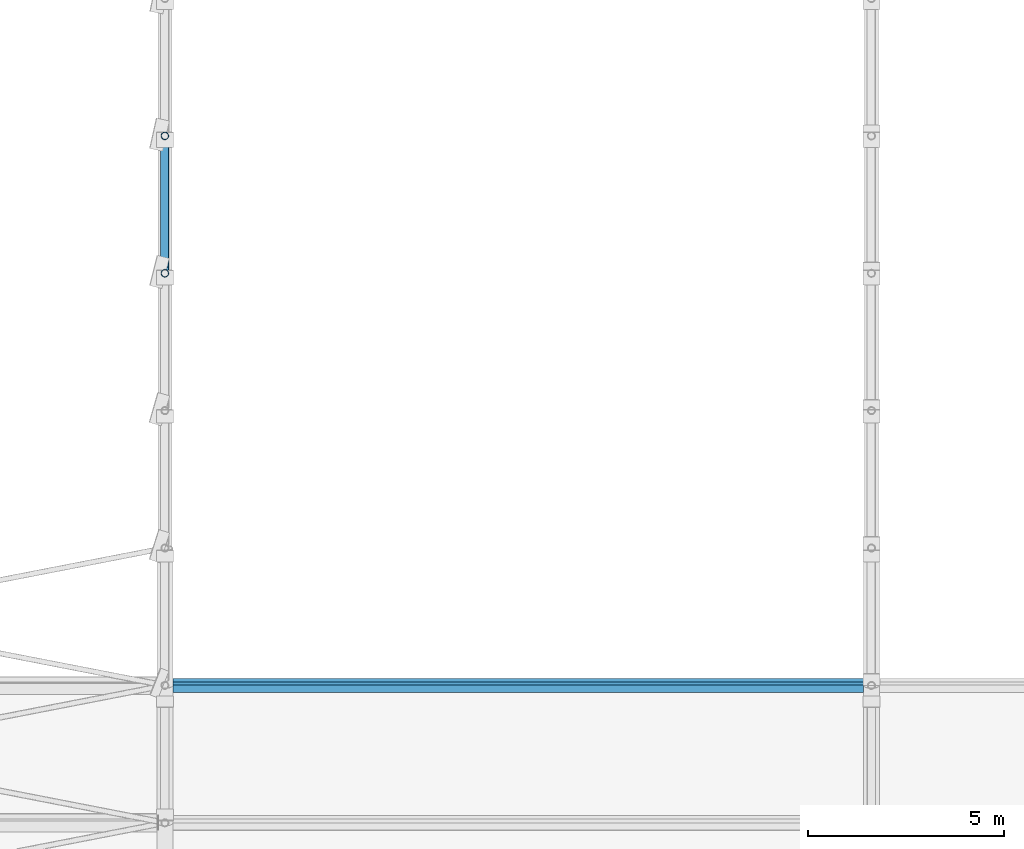
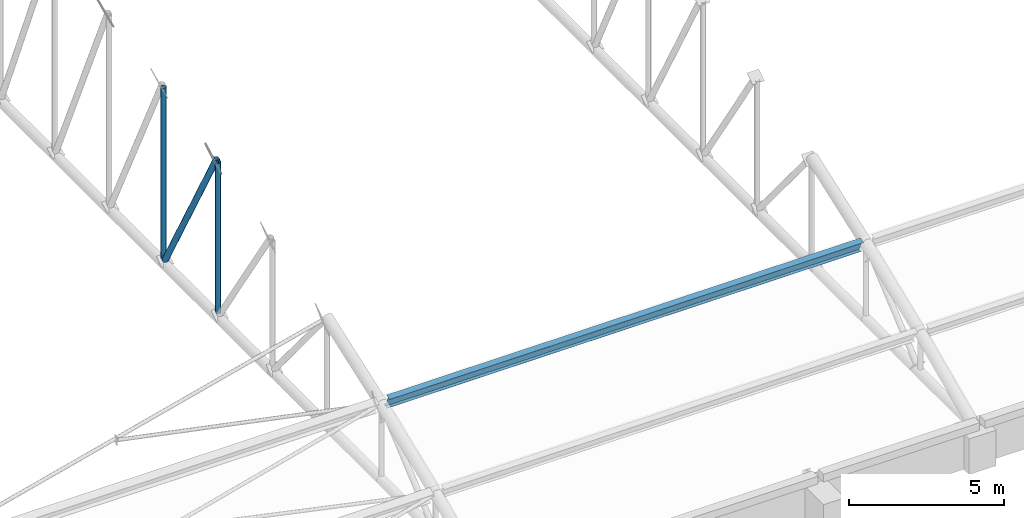
# One storey, part 31 of 196: 4 members.
"""IFC4 building model written with IfcOpenShell, lengths in metres."""

from ifc_helpers import new_model, si_unit, direction, frame, origin, origin_2d, place, context, subcontext, project, spatial, hollow_circle, i_section, extrude, material, material_profile, profile_set, type_object, element, save


model = new_model("IFC4")

# Units and contexts
model_context = context("Model", 3, precision=1e-05, world=origin(), true_north=direction((0.0, 1.0)))
body_context = subcontext(model_context, "Body", "Model", "MODEL_VIEW")
ifc_project = project(units=[si_unit("LENGTHUNIT", "METRE"), si_unit("AREAUNIT", "SQUARE_METRE"), si_unit("VOLUMEUNIT", "CUBIC_METRE"), si_unit("PLANEANGLEUNIT", "RADIAN"), si_unit("MASSUNIT", "GRAM", prefix="KILO")], contexts=[model_context])

# Site, building, storey
site_placement = place(None, origin())
site = spatial("IfcSite", under=ifc_project, at=site_placement, CompositionType="ELEMENT")
building_placement = place(site_placement, origin())
building = spatial("IfcBuilding", under=site, at=building_placement, Name="Okhra Congress Centre", CompositionType="ELEMENT")
storey_placement = place(building_placement, frame((0.0, 0.0, 12.0)))
storey = spatial("IfcBuildingStorey", under=building, at=storey_placement, Name="L02", CompositionType="ELEMENT", Elevation=12.0)

# Members
ifc_material_1 = material(Name="Steel S355J2H", Category="steel")
ifc_material_profile_1 = material_profile(ifc_material_1, hollow_circle(Radius=0.096923828125, WallThickness=0.008056640625, at=origin_2d()), Name="CHS 193.7x8.0")
ifc_profile_set_1 = profile_set([ifc_material_profile_1], Name="Steel S355J2H")
member_type_1 = type_object("IfcMemberType", Name="CHS 193.7x8.0", PredefinedType="POST", material=ifc_profile_set_1)
member_1_placement = place(storey_placement, frame((46.0, 149.5, 1.577880859375), z_axis=(0.0, 0.0, 1.0), x_axis=(1.0, 0.0, 0.0)))
element("IfcMember", 1, at=member_1_placement, inside=storey, type_object=member_type_1, Name="EH.MEM.L02.T2-VER-05", PredefinedType="POST", context=body_context, shape_type="SweptSolid", body=[
    extrude(hollow_circle(Radius=0.096923828125, WallThickness=0.008056640625, at=origin_2d()), origin(), (0.0, 0.0, 1.0), 5.917724609375),
])
member_2_placement = place(storey_placement, frame((46.0, 153.0, 1.577880859375), z_axis=(0.0, 0.0, 1.0), x_axis=(1.0, 0.0, 0.0)))
element("IfcMember", 2, at=member_2_placement, inside=storey, type_object=member_type_1, Name="EH.MEM.L02.T2-VER-06", PredefinedType="POST", context=body_context, shape_type="SweptSolid", body=[
    extrude(hollow_circle(Radius=0.096923828125, WallThickness=0.008056640625, at=origin_2d()), origin(), (0.0, 0.0, 1.0), 6.750244140625),
])
ifc_material_profile_2 = material_profile(ifc_material_1, hollow_circle(Radius=0.109619140625, WallThickness=0.010009765625, at=origin_2d()), Name="CHS 219.1x10.0")
ifc_profile_set_2 = profile_set([ifc_material_profile_2], Name="Steel S355J2H")
member_type_2 = type_object("IfcMemberType", Name="CHS 219.1x10.0", PredefinedType="BRACE", material=ifc_profile_set_2)
member_3_placement = place(storey_placement, frame((46.0, 149.5927734375, 7.538330078125), z_axis=(0.0, 0.485332749729, -0.874329527147), x_axis=(-1.0, 0.0, 0.0)))
element("IfcMember", 3, at=member_3_placement, inside=storey, type_object=member_type_2, Name="EH.MEM.L02.T2-DIA-05", PredefinedType="BRACE", context=body_context, shape_type="SweptSolid", body=[
    extrude(hollow_circle(Radius=0.109619140625, WallThickness=0.010009765625, at=origin_2d()), origin(), (0.0, 0.0, 1.0), 6.817138671875),
])
ifc_material_2 = material(Name="Steel S355J2", Category="steel")
ifc_material_profile_3 = material_profile(ifc_material_2, i_section(OverallWidth=0.199951171875, OverallDepth=0.5, WebThickness=0.01025390625, FlangeThickness=0.01611328125, at=origin_2d()), Name="IPE 500")
ifc_profile_set_3 = profile_set([ifc_material_profile_3], Name="Steel S355J2")
member_type_3 = type_object("IfcMemberType", Name="IPE 500", PredefinedType="PURLIN", material=ifc_profile_set_3)
member_4_placement = place(storey_placement, frame((46.203125, 139.0, 4.3740234375), z_axis=(1.0, 0.0, 0.0), x_axis=(0.0, 0.934732963292, 0.355350935465)))
element("IfcMember", 4, at=member_4_placement, inside=storey, type_object=member_type_3, Name="EH.MEM.L02.PU2-03", PredefinedType="PURLIN", context=body_context, shape_type="SweptSolid", body=[
    extrude(i_section(OverallWidth=0.199951171875, OverallDepth=0.5, WebThickness=0.01025390625, FlangeThickness=0.01611328125, at=origin_2d()), origin(), (0.0, 0.0, 1.0), 17.59375),
])

save(model, "model.ifc")
